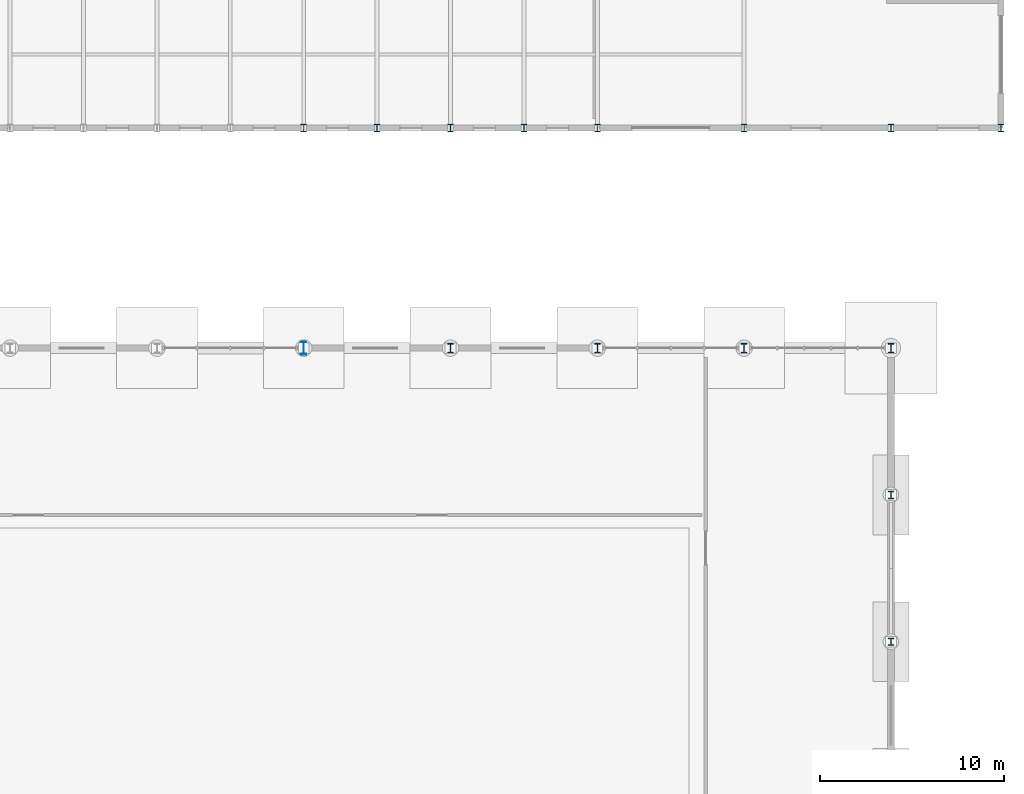
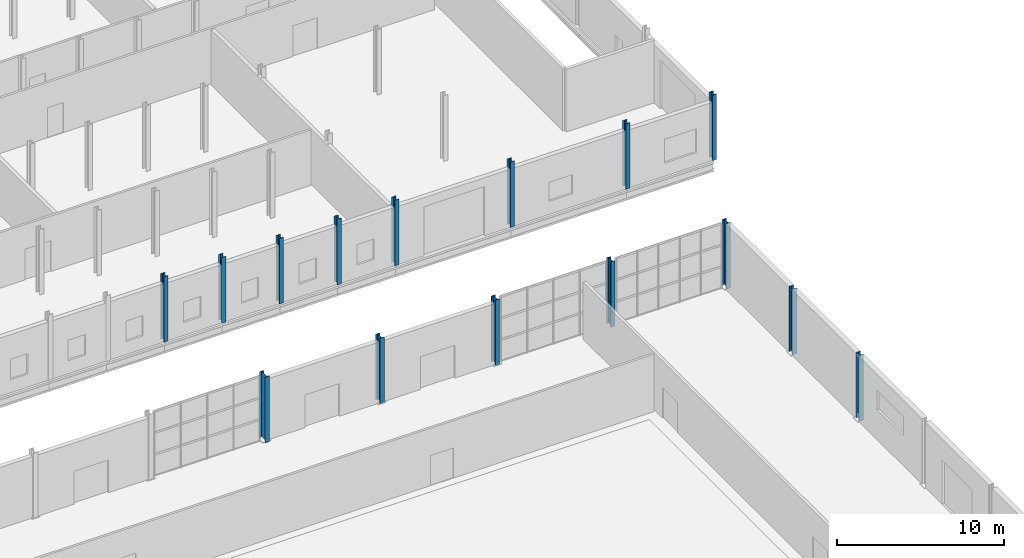
# One storey, part 25 of 101: 15 columns.
"""IFC4 building model written with IfcOpenShell, lengths in metres."""

from ifc_helpers import new_model, si_unit, derived_unit, direction, frame, origin, origin_2d, place, context, subcontext, project, spatial, i_section, extrude, material, material_profile, profile_set, type_object, element, save


model = new_model("IFC4")

# Units and contexts
model_context = context("Model", 3, precision=1e-05, world=origin(), true_north=direction((0.0, 1.0)))
body_context = subcontext(model_context, "Body", "Model", "MODEL_VIEW")
ifc_project = project(units=[si_unit("LENGTHUNIT", "METRE"), si_unit("AREAUNIT", "SQUARE_METRE"), si_unit("VOLUMEUNIT", "CUBIC_METRE"), si_unit("PLANEANGLEUNIT", "RADIAN"), si_unit("MASSUNIT", "GRAM", prefix="KILO"), derived_unit("THERMALTRANSMITTANCEUNIT", [(si_unit("POWERUNIT", "WATT"), 1), (si_unit("LENGTHUNIT", "METRE"), -2), (si_unit("THERMODYNAMICTEMPERATUREUNIT", "KELVIN"), -1)])], contexts=[model_context])

# Site, building, storey
site_placement = place(None, origin())
site = spatial("IfcSite", under=ifc_project, at=site_placement, CompositionType="ELEMENT")
building_placement = place(site_placement, origin())
building = spatial("IfcBuilding", under=site, at=building_placement, Name="Keldorne Ridge Multi-Sports Centre", CompositionType="ELEMENT")
storey_placement = place(building_placement, origin())
storey = spatial("IfcBuildingStorey", under=building, at=storey_placement, Name="L00", CompositionType="ELEMENT", Elevation=0.0)

# Columns
ifc_material = material(Name="Steel S355", Category="steel")
ifc_material_profile_1 = material_profile(ifc_material, i_section(OverallWidth=0.305908203125, OverallDepth=0.52392578125, WebThickness=0.02099609375, FlangeThickness=0.0400390625, FilletRadius=0.027099609375, at=origin_2d()), Name="HEM 500")
ifc_profile_set_1 = profile_set([ifc_material_profile_1], Name="Steel S355")
column_type_1 = type_object("IfcColumnType", Name="COL-C-04", PredefinedType="COLUMN", material=ifc_profile_set_1)
for number, where, z_axis, x_axis, name in (
    (1, (144.0, 54.0, 0.0), (0.0, 0.0, 1.0), (1.0, 0.0, 0.0), "Structural column V2-TRUSS-N-06 on L00"),
    (2, (152.0, 54.0, 0.0), (0.0, 0.0, 1.0), (1.0, 0.0, 0.0), "Structural column V2-TRUSS-N-07 on L00"),
    (3, (160.0, 54.0, 0.0), (0.0, 0.0, 1.0), (1.0, 0.0, 0.0), "Structural column V2-TRUSS-N-08 on L00"),
    (4, (168.0, 54.0, 0.0), (0.0, 0.0, 1.0), (1.0, 0.0, 0.0), "Structural column V2-TRUSS-N-09 on L00"),
):
    element("IfcColumn", number, at=place(storey_placement, frame(where, z_axis=z_axis, x_axis=x_axis)), inside=storey, type_object=column_type_1, Name=name, PredefinedType="COLUMN", context=body_context, shape_type="SweptSolid", body=[
        extrude(i_section(OverallWidth=0.305908203125, OverallDepth=0.52392578125, WebThickness=0.02099609375, FlangeThickness=0.0400390625, FilletRadius=0.027099609375, at=origin_2d()), origin(), (0.0, 0.0, 1.0), 4.800048828125),
    ])
ifc_material_profile_2 = material_profile(ifc_material, i_section(OverallWidth=0.300048828125, OverallDepth=0.39990234375, WebThickness=0.013427734375, FlangeThickness=0.02392578125, FilletRadius=0.027099609375, at=origin_2d()), Name="HEB 400")
ifc_profile_set_2 = profile_set([ifc_material_profile_2], Name="Steel S355")
column_type_2 = type_object("IfcColumnType", Name="COL-C-09", PredefinedType="COLUMN", material=ifc_profile_set_2)
for number, where, z_axis, x_axis, name in (
    (5, (168.0, 38.0, 0.0), (0.0, 0.0, 1.0), (1.0, 0.0, 0.0), "Structural column V2-GABLE-E-04 on L00"),
    (6, (168.0, 46.0, 0.0), (0.0, 0.0, 1.0), (1.0, 0.0, 0.0), "Structural column V2-GABLE-E-05 on L00"),
    (7, (136.0, 66.0, 0.0), (0.0, 0.0, 1.0), (1.0, 0.0, 0.0), "Structural column V5-C-07-01 on L00"),
    (8, (140.0, 66.0, 0.0), (0.0, 0.0, 1.0), (1.0, 0.0, 0.0), "Structural column V5-C-08-01 on L00"),
    (9, (144.0, 66.0, 0.0), (0.0, 0.0, 1.0), (1.0, 0.0, 0.0), "Structural column V5-C-09-01 on L00"),
    (10, (148.0, 66.0, 0.0), (0.0, 0.0, 1.0), (1.0, 0.0, 0.0), "Structural column V5-C-10-01 on L00"),
    (11, (152.0, 66.0, 0.0), (0.0, 0.0, 1.0), (1.0, 0.0, 0.0), "Structural column V5-C-11-01 on L00"),
    (12, (160.0, 66.0, 0.0), (0.0, 0.0, 1.0), (1.0, 0.0, 0.0), "Structural column V5-C-12-01 on L00"),
    (13, (168.0, 66.0, 0.0), (0.0, 0.0, 1.0), (1.0, 0.0, 0.0), "Structural column V5-C-13-01 on L00"),
    (14, (174.0, 66.0, 0.0), (0.0, 0.0, 1.0), (1.0, 0.0, 0.0), "Structural column V5-C-14-01 on L00"),
):
    element("IfcColumn", number, at=place(storey_placement, frame(where, z_axis=z_axis, x_axis=x_axis)), inside=storey, type_object=column_type_2, Name=name, PredefinedType="COLUMN", context=body_context, shape_type="SweptSolid", body=[
        extrude(i_section(OverallWidth=0.300048828125, OverallDepth=0.39990234375, WebThickness=0.013427734375, FlangeThickness=0.02392578125, FilletRadius=0.027099609375, at=origin_2d()), origin(), (0.0, 0.0, 1.0), 4.800048828125),
    ])
ifc_material_profile_3 = material_profile(ifc_material, i_section(OverallWidth=0.300048828125, OverallDepth=0.699951171875, WebThickness=0.01708984375, FlangeThickness=0.031982421875, FilletRadius=0.027099609375, at=origin_2d()), Name="HEB 700")
ifc_profile_set_3 = profile_set([ifc_material_profile_3], Name="Steel S355")
column_type_3 = type_object("IfcColumnType", Name="COL-C-39", PredefinedType="COLUMN", material=ifc_profile_set_3)
column_placement = place(storey_placement, frame((136.0, 54.0, 0.0), z_axis=(0.0, 0.0, 1.0), x_axis=(1.0, 0.0, 0.0)))
element("IfcColumn", 15, at=column_placement, inside=storey, type_object=column_type_3, Name="Structural column V2-TRUSS-N-05 on L00", PredefinedType="COLUMN", context=body_context, shape_type="SweptSolid", body=[
    extrude(i_section(OverallWidth=0.300048828125, OverallDepth=0.699951171875, WebThickness=0.01708984375, FlangeThickness=0.031982421875, FilletRadius=0.027099609375, at=origin_2d()), origin(), (0.0, 0.0, 1.0), 4.800048828125),
])

save(model, "model.ifc")
